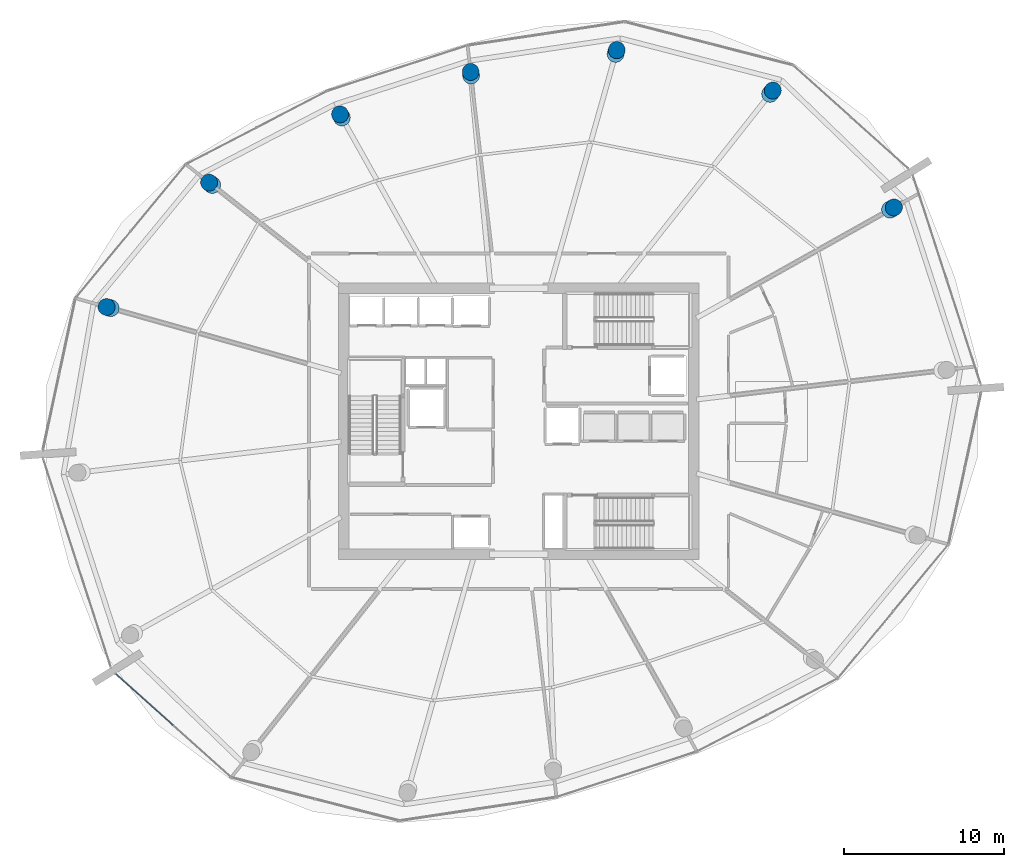
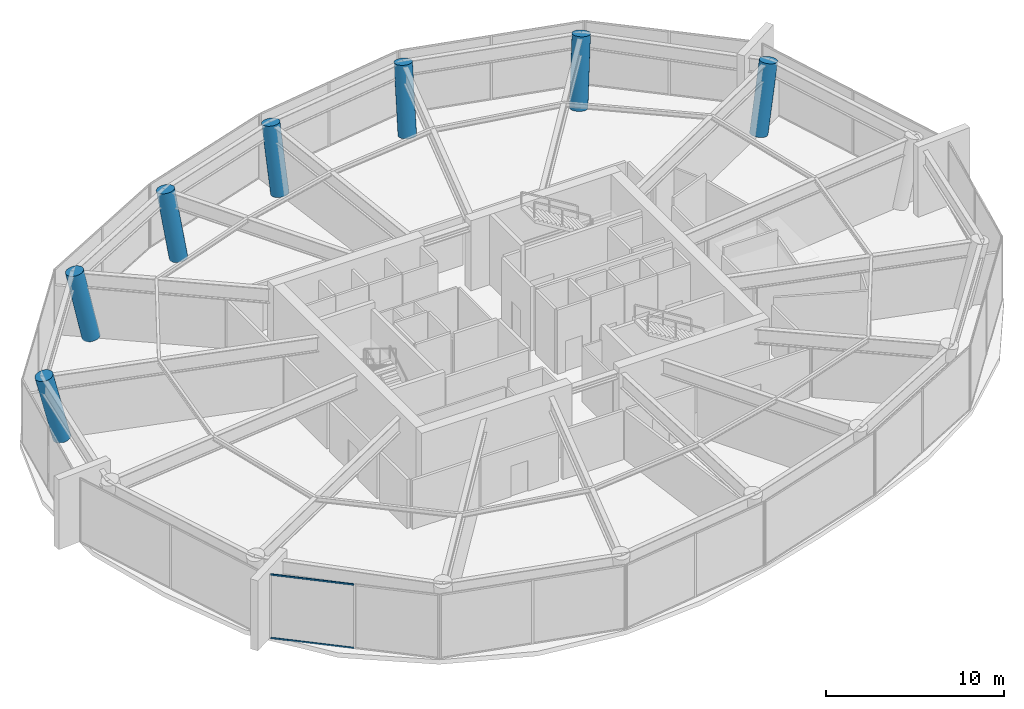
# One storey, part 4 of 22: 7 columns, 2 members, 1 element without a shape of its own.
"""IFC4 building model written with IfcOpenShell, lengths in metres."""

import ifcopenshell
import ifcopenshell.guid

model = None  # the IFC model being written
_history = None  # IfcOwnerHistory: only IFC2X3 demands one
_inside = {}  # id of a spatial element -> (the spatial element, [elements in it])
_under = {}  # id of a project, library or spatial element -> (it, [spatial elements below it])
_declared = {}  # id of a project -> (the project, [libraries it declares])
_typed = {}  # id of a type object -> (the type object, [elements of that type])
_made_of = {}  # id of a material, layer set ... -> (it, [elements and type objects made of it])


def new_model(schema):
    """Start an empty IFC model of exactly this schema.

    Asked for "IFC4X3", IfcOpenShell would pick the latest addendum, in which some entities
    have other attributes; the version numbers below select the first issue.
    IFC2X3 requires an IfcOwnerHistory on every rooted entity: one is made here for all.
    """
    global model, _history
    if schema == "IFC4X3":
        model = ifcopenshell.file(schema_version=(4, 3, 0, 0))
    else:
        model = ifcopenshell.file(schema=schema)
    _inside.clear()
    _under.clear()
    _declared.clear()
    _typed.clear()
    _made_of.clear()
    _history = None
    if model.schema == "IFC2X3":
        org = make("IfcOrganization", Name="unknown")
        user = make(
            "IfcPersonAndOrganization",
            ThePerson=make("IfcPerson", FamilyName="unknown"),
            TheOrganization=org,
        )
        app = make(
            "IfcApplication",
            ApplicationDeveloper=org,
            Version="unknown",
            ApplicationFullName="unknown",
            ApplicationIdentifier="unknown",
        )
        _history = make(
            "IfcOwnerHistory",
            OwningUser=user,
            OwningApplication=app,
            ChangeAction="ADDED",
            CreationDate=0,
        )
    return model


def make(cls, **values):
    """One entity of the class cls with the attributes given. An attribute that is None is left unset."""
    return model.create_entity(
        cls, **{name: value for name, value in values.items() if value is not None}
    )


def rooted(cls, **values):
    """An entity with a GlobalId (a new one), such as an element, a storey or a relation."""
    return make(cls, GlobalId=ifcopenshell.guid.new(), OwnerHistory=_history, **values)


def si_unit(unit_type, name, prefix=None):
    """IfcSIUnit, for example si_unit("LENGTHUNIT", "METRE", prefix="MILLI")."""
    return make("IfcSIUnit", UnitType=unit_type, Prefix=prefix, Name=name)


def assignment(units):
    """IfcUnitAssignment: the units of a project."""
    return None if units is None else make("IfcUnitAssignment", Units=units)


def point(xyz):
    """IfcCartesianPoint."""
    return None if xyz is None else make("IfcCartesianPoint", Coordinates=xyz)


def direction(xyz):
    """IfcDirection."""
    return None if xyz is None else make("IfcDirection", DirectionRatios=xyz)


def frame(location, z_axis=None, x_axis=None):
    """IfcAxis2Placement3D, a coordinate frame: its origin and axes. An axis left out is left unset."""
    return make(
        "IfcAxis2Placement3D",
        Location=point(location),
        Axis=direction(z_axis),
        RefDirection=direction(x_axis),
    )


def frame_2d(location, x_axis=None):
    """IfcAxis2Placement2D, a coordinate frame in the plane: its origin and x axis."""
    return make(
        "IfcAxis2Placement2D", Location=point(location), RefDirection=direction(x_axis)
    )


def origin():
    """The frame at (0, 0, 0) with its axes left unset."""
    return frame((0.0, 0.0, 0.0))


def origin_2d():
    """The frame at (0, 0) in the plane with its x axis left unset."""
    return frame_2d((0.0, 0.0))


def place(relative_to, where):
    """IfcLocalPlacement: puts the frame where relative to a parent placement (None: the world)."""
    return make(
        "IfcLocalPlacement", PlacementRelTo=relative_to, RelativePlacement=where
    )


def context(
    kind, dimensions, precision=None, world=None, true_north=None, identifier=None
):
    """IfcGeometricRepresentationContext, for example the 3D "Model" context."""
    return make(
        "IfcGeometricRepresentationContext",
        ContextIdentifier=identifier,
        ContextType=kind,
        CoordinateSpaceDimension=dimensions,
        Precision=precision,
        WorldCoordinateSystem=world,
        TrueNorth=true_north,
    )


def subcontext(parent, identifier, kind, view, scale=None):
    """IfcGeometricRepresentationSubContext, for example "Body" below "Model"."""
    return make(
        "IfcGeometricRepresentationSubContext",
        ContextIdentifier=identifier,
        ContextType=kind,
        ParentContext=parent,
        TargetScale=scale,
        TargetView=view,
    )


def project(units=None, contexts=None):
    """IfcProject with its units and contexts."""
    return rooted(
        "IfcProject",
        Name="project",
        RepresentationContexts=contexts,
        UnitsInContext=assignment(units),
    )


def spatial(cls, under=None, at=None, **own):
    """A site, building, storey or space (cls), placed at a placement, below another one or the project."""
    s = rooted(cls, ObjectPlacement=at, **own)
    if under is not None:
        _under.setdefault(under.id(), (under, []))[1].append(s)
    return s


def profile(cls, at=None, kind="AREA", **sizes):
    """A parametric profile (cls). Its sizes go by their IFC names, for example OverallWidth=200.0."""
    return make(cls, ProfileType=kind, Position=at, **sizes)


def rectangle(**sizes):
    """IfcRectangleProfileDef."""
    return profile("IfcRectangleProfileDef", **sizes)


def circle(**sizes):
    """IfcCircleProfileDef."""
    return profile("IfcCircleProfileDef", **sizes)


def extrude(swept, where, along, depth):
    """IfcExtrudedAreaSolid: the profile swept, set in the frame where, extruded along a direction by depth."""
    return make(
        "IfcExtrudedAreaSolid",
        SweptArea=swept,
        Position=where,
        ExtrudedDirection=direction(along),
        Depth=depth,
    )


def shape(context_of_items, identifier, shape_type, items):
    """IfcShapeRepresentation: the items that make up one representation, for example the "Body"."""
    return make(
        "IfcShapeRepresentation",
        ContextOfItems=context_of_items,
        RepresentationIdentifier=identifier,
        RepresentationType=shape_type,
        Items=items,
    )


def material(Name=None, Category=None):
    """IfcMaterial."""
    return make("IfcMaterial", Name=Name, Category=Category)


def layer(
    of_material, thickness, ventilated=None, Name=None, Category=None, Priority=None
):
    """IfcMaterialLayer: one layer of a wall or slab, of a material (None: an air gap)."""
    return make(
        "IfcMaterialLayer",
        Material=of_material,
        LayerThickness=thickness,
        IsVentilated=ventilated,
        Name=Name,
        Category=Category,
        Priority=Priority,
    )


def layer_set(layers, Name=None):
    """IfcMaterialLayerSet."""
    return make("IfcMaterialLayerSet", MaterialLayers=layers, LayerSetName=Name)


def material_profile(
    of_material, cross_section, Name=None, Category=None, Priority=None
):
    """IfcMaterialProfile: a cross section and its material."""
    return make(
        "IfcMaterialProfile",
        Name=Name,
        Material=of_material,
        Profile=cross_section,
        Priority=Priority,
        Category=Category,
    )


def profile_set(profiles, Name=None, composite=None):
    """IfcMaterialProfileSet."""
    return make(
        "IfcMaterialProfileSet",
        Name=Name,
        MaterialProfiles=profiles,
        CompositeProfile=composite,
    )


def made_of(thing, what):
    """Note that an element or type object is made of a material, layer set ...; save() writes the relation."""
    if what is not None:
        _made_of.setdefault(what.id(), (what, []))[1].append(thing)
    return thing


def type_object(cls, material=None, **own):
    """A type object (cls), such as IfcWallType, which elements share."""
    return made_of(rooted(cls, **own), material)


def element(
    cls,
    number,
    at=None,
    inside=None,
    cuts=None,
    type_object=None,
    material=None,
    context=None,
    identifier="Body",
    shape_type=None,
    held_by="IfcProductDefinitionShape",
    body=None,
    shapes=None,
    **own,
):
    """One element of the class cls, such as IfcWall. Its Tag is "e" and its number.

    at: its placement. inside: the storey or other place that contains it. cuts: it is an
    opening in that element (IfcRelVoidsElement). A single representation is given by context,
    identifier, shape_type and body (its items); several are given by shapes. held_by: the class
    of the entity that holds the representations. save() writes the other relations.
    """
    e = rooted(cls, Tag="e%d" % number, ObjectPlacement=at, **own)
    if body is not None:
        shapes = [shape(context, identifier, shape_type, body)]
    if shapes is not None:
        e.Representation = make(held_by, Representations=shapes)
    if inside is not None:
        _inside.setdefault(inside.id(), (inside, []))[1].append(e)
    if cuts is not None:
        rooted(
            "IfcRelVoidsElement", RelatingBuildingElement=cuts, RelatedOpeningElement=e
        )
    if type_object is not None:
        _typed.setdefault(type_object.id(), (type_object, []))[1].append(e)
    return made_of(e, material)


def aggregate(whole, parts):
    """IfcRelAggregates: a whole, such as a stair, and the parts it consists of."""
    return rooted("IfcRelAggregates", RelatingObject=whole, RelatedObjects=parts)


def save(model, path):
    """Write the relations noted so far, then the file.

    IfcRelAggregates (storeys below a building ...), IfcRelContainedInSpatialStructure (elements
    in a storey), IfcRelDefinesByType, IfcRelAssociatesMaterial and IfcRelDeclares: one each for
    every whole, place, type object, material and project.
    """
    for whole, parts in _under.values():
        aggregate(whole, parts)
    for where, things in _inside.values():
        rooted(
            "IfcRelContainedInSpatialStructure",
            RelatedElements=things,
            RelatingStructure=where,
        )
    for kind, things in _typed.values():
        rooted("IfcRelDefinesByType", RelatedObjects=things, RelatingType=kind)
    for what, things in _made_of.values():
        rooted("IfcRelAssociatesMaterial", RelatedObjects=things, RelatingMaterial=what)
    for by, libraries in _declared.values():
        rooted("IfcRelDeclares", RelatingContext=by, RelatedDefinitions=libraries)
    model.write(path)


model = new_model("IFC4")

# Units and contexts
model_context = context("Model", 3, precision=1e-05, world=origin(), true_north=direction((0.0, 1.0)))
body_context = subcontext(model_context, "Body", "Model", "MODEL_VIEW")
ifc_project = project(units=[si_unit("LENGTHUNIT", "METRE"), si_unit("AREAUNIT", "SQUARE_METRE"), si_unit("VOLUMEUNIT", "CUBIC_METRE"), si_unit("PLANEANGLEUNIT", "RADIAN"), si_unit("MASSUNIT", "GRAM", prefix="KILO")], contexts=[model_context])

# Site, building, storey
site_placement = place(None, origin())
site = spatial("IfcSite", under=ifc_project, at=site_placement, CompositionType="ELEMENT")
building_placement = place(site_placement, origin())
building = spatial("IfcBuilding", under=site, at=building_placement, Name="Kazma Halo Residences", CompositionType="ELEMENT")
storey_placement = place(building_placement, frame((0.0, 0.0, 231.89990234375)))
storey = spatial("IfcBuildingStorey", under=building, at=storey_placement, Name="L58", CompositionType="ELEMENT", Elevation=231.89990234375)

# Columns
ifc_material_1 = material(Name="Concrete C80/95", Category="concrete")
ifc_material_profile_1 = material_profile(ifc_material_1, circle(Radius=0.52490234375, at=origin_2d()), Name="CIRC1050")
ifc_profile_set_1 = profile_set([ifc_material_profile_1], Name="Concrete C80/95")
column_type = type_object("IfcColumnType", Name="COL-PERIM-1050", PredefinedType="COLUMN", material=ifc_profile_set_1)
column_1_placement = place(storey_placement, frame((71.647705078125, 55.243408203125, 0.0), z_axis=(0.206979778602, 0.115887115623, 0.971457434828), x_axis=(-0.4885341758, 0.872544760499, 0.0)))
element("IfcColumn", 1, at=column_1_placement, inside=storey, type_object=column_type, Name="L58 perimeter ring column P01", PredefinedType="COLUMN", context=body_context, shape_type="SweptSolid", body=[
    extrude(circle(Radius=0.52490234375, at=origin_2d()), origin(), (0.0, 0.0, 1.0), 4.529541015625),
])
column_2_placement = place(storey_placement, frame((64.14892578125, 62.48486328125, 0.0), z_axis=(0.141623073819, 0.179648491046, 0.97348308903), x_axis=(-0.785317732316, 0.619092932692, 0.0)))
element("IfcColumn", 2, at=column_2_placement, inside=storey, type_object=column_type, Name="L58 perimeter ring column P02", PredefinedType="COLUMN", context=body_context, shape_type="SweptSolid", body=[
    extrude(circle(Radius=0.52490234375, at=origin_2d()), origin(), (0.0, 0.0, 1.0), 4.52001953125),
])
column_3_placement = place(storey_placement, frame((54.482666015625, 64.985595703125, 0.0), z_axis=(0.057064203539, 0.202436889361, 0.977631312152), x_axis=(-0.96249113016, 0.271313148159, 0.0)))
element("IfcColumn", 3, at=column_3_placement, inside=storey, type_object=column_type, Name="L58 perimeter ring column P03", PredefinedType="COLUMN", context=body_context, shape_type="SweptSolid", body=[
    extrude(circle(Radius=0.52490234375, at=origin_2d()), origin(), (0.0, 0.0, 1.0), 4.500732421875),
])
for number, where, z_axis, x_axis, name in (
    (4, (45.439208984375, 63.63525390625, 0.0), (-0.022595030847, 0.191268297268, 0.981277689057), (-0.993094531049, -0.117316888809, 0.0), "L58 perimeter ring column P04"),
    (5, (37.354736328125, 61.00830078125, 0.0), (-0.094082140632, 0.16807382415, 0.981274548967), (-0.872592764755, -0.488448428084, 0.0), "L58 perimeter ring column P05"),
):
    element("IfcColumn", number, at=place(storey_placement, frame(where, z_axis=z_axis, x_axis=x_axis)), inside=storey, type_object=column_type, Name=name, PredefinedType="COLUMN", context=body_context, shape_type="SweptSolid", body=[
        extrude(circle(Radius=0.52490234375, at=origin_2d()), origin(), (0.0, 0.0, 1.0), 4.484130859375),
    ])
column_4_placement = place(storey_placement, frame((29.244873046875, 56.785400390625, 0.0), z_axis=(-0.16517218596, 0.130184974155, 0.977634912168), x_axis=(-0.619016887192, -0.785377675625, 0.0)))
element("IfcColumn", 6, at=column_4_placement, inside=storey, type_object=column_type, Name="L58 perimeter ring column P06", PredefinedType="COLUMN", context=body_context, shape_type="SweptSolid", body=[
    extrude(circle(Radius=0.52490234375, at=origin_2d()), origin(), (0.0, 0.0, 1.0), 4.500732421875),
])
column_5_placement = place(storey_placement, frame((22.89453125, 49.080322265625, 0.0), z_axis=(-0.2201588075, 0.062115463352, 0.973484344349), x_axis=(-0.271538679248, -0.962427527491, 0.0)))
element("IfcColumn", 7, at=column_5_placement, inside=storey, type_object=column_type, Name="L58 perimeter ring column P07", PredefinedType="COLUMN", context=body_context, shape_type="SweptSolid", body=[
    extrude(circle(Radius=0.52490234375, at=origin_2d()), origin(), (0.0, 0.0, 1.0), 4.52001953125),
])

# Curtain wall, members
ifc_material_2 = material(Name="Aluminium AW-6063 T6 and Triple-Silver Low-E Glass", Category="aluminium")
ifc_layer = layer(ifc_material_2, 0.139892578125)
ifc_layer_set = layer_set([ifc_layer], Name="Aluminium AW-6063 T6 and Triple-Silver Low-E Glass")
curtain_wall_type = type_object("IfcCurtainWallType", Name="CW-SYS-5", PredefinedType="NOTDEFINED", material=ifc_layer_set)
curtain_wall_placement = place(storey_placement, origin())
curtain_wall = element("IfcCurtainWall", 8, at=curtain_wall_placement, inside=storey, type_object=curtain_wall_type, Name="L58 unitised curtain wall B09", PredefinedType="NOTDEFINED")
ifc_material_3 = material(Name="Aluminium AW-6063 T6", Category="aluminium")
ifc_material_profile_2 = material_profile(ifc_material_3, rectangle(XDim=0.06005859375, YDim=0.10498046875, at=origin_2d()), Name="CWT-60x105")
ifc_profile_set_2 = profile_set([ifc_material_profile_2], Name="Aluminium AW-6063 T6")
member_type = type_object("IfcMemberType", Name="CW-SYS-5-TRN", PredefinedType="USERDEFINED", material=ifc_profile_set_2)
member_1_placement = place(storey_placement, frame((23.217041015625, 26.17333984375, 0.030029296875), z_axis=(0.74433663393, -0.667804593717, 0.0), x_axis=(0.667804593717, 0.74433663393, 0.0)))
member_1 = element("IfcMember", 9, at=member_1_placement, type_object=member_type, Name="CWS-5 transom 1.1", ObjectType="TRANSOM", PredefinedType="USERDEFINED", context=body_context, shape_type="SweptSolid", body=[
    extrude(rectangle(XDim=0.06005859375, YDim=0.10498046875, at=origin_2d()), origin(), (0.0, 0.0, 1.0), 4.781982421875),
])
member_2_placement = place(storey_placement, frame((23.217041015625, 26.17333984375, 4.3701171875), z_axis=(0.74433663393, -0.667804593717, 0.0), x_axis=(0.667804593717, 0.74433663393, 0.0)))
member_2 = element("IfcMember", 10, at=member_2_placement, type_object=member_type, Name="CWS-5 transom 1.2", ObjectType="TRANSOM", PredefinedType="USERDEFINED", context=body_context, shape_type="SweptSolid", body=[
    extrude(rectangle(XDim=0.06005859375, YDim=0.10498046875, at=origin_2d()), origin(), (0.0, 0.0, 1.0), 4.781982421875),
])
aggregate(curtain_wall, [member_1, member_2])

save(model, "model.ifc")
